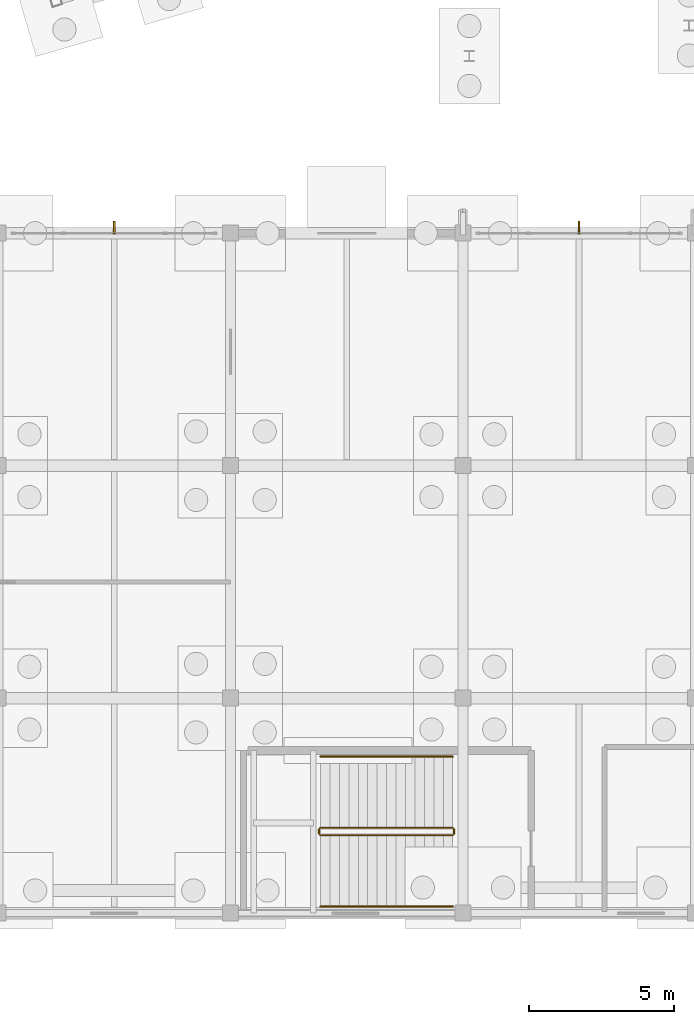
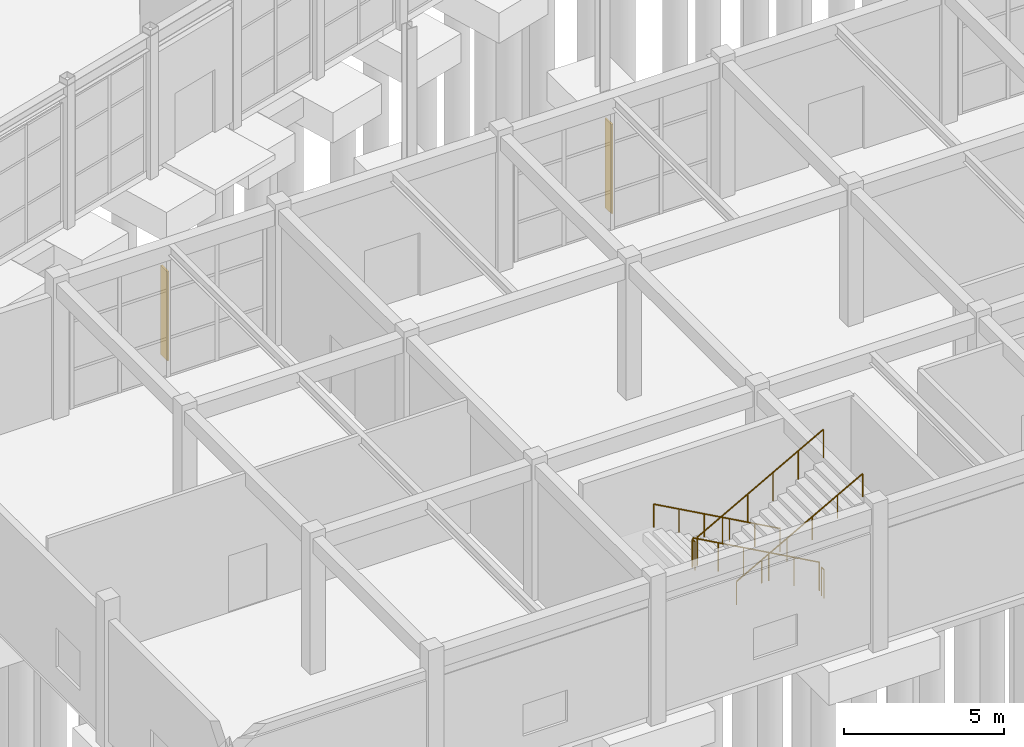
# One storey, part 80 of 90: 6 railings, 2 shading devices.
"""IFC4 building model written with IfcOpenShell, lengths in metres."""

from ifc_helpers import new_model, si_unit, direction, frame, origin, origin_2d, place, context, subcontext, project, spatial, rectangle, circle, extrude, material, type_object, element, save


model = new_model("IFC4")

# Units and contexts
model_context = context("Model", 3, precision=1e-05, world=origin(), true_north=direction((0.0, 1.0)))
body_context = subcontext(model_context, "Body", "Model", "MODEL_VIEW")
ifc_project = project(units=[si_unit("LENGTHUNIT", "METRE"), si_unit("AREAUNIT", "SQUARE_METRE"), si_unit("VOLUMEUNIT", "CUBIC_METRE"), si_unit("PLANEANGLEUNIT", "RADIAN"), si_unit("MASSUNIT", "GRAM", prefix="KILO")], contexts=[model_context])

# Site, building, storey
site_placement = place(None, origin())
site = spatial("IfcSite", under=ifc_project, at=site_placement, CompositionType="ELEMENT")
building_placement = place(site_placement, origin())
building = spatial("IfcBuilding", under=site, at=building_placement, Name="Canggui Botanical Conservatory", CompositionType="ELEMENT")
storey_placement = place(building_placement, origin())
storey = spatial("IfcBuildingStorey", under=building, at=storey_placement, Name="L01", CompositionType="ELEMENT", Elevation=0.0)

# Railings
ifc_material_1 = material(Name="Stainless Steel 304", Category="steel")
railing_type_1 = type_object("IfcRailingType", Name="RAIL-GUARD-1100", PredefinedType="BALUSTRADE", material=ifc_material_1)
railing_1_placement = place(storey_placement, frame((33.64990234375, 13.5400390625, 0.179931640625)))
element("IfcRailing", 1, at=railing_1_placement, inside=storey, type_object=railing_type_1, Name="L01 ST-V2 stair guard 1", PredefinedType="BALUSTRADE", context=body_context, shape_type="SweptSolid", body=[
    extrude(circle(Radius=0.02392578125, at=origin_2d()), frame((0.0, 0.0, 1.076171875), z_axis=(-0.87478094925, 0.0, 0.48451861763), x_axis=(0.0, -1.0, 0.0)), (0.0, 0.0, 1.0), 5.201171875),
    extrude(circle(Radius=0.02099609375, at=origin_2d()), origin(), (0.0, 0.0, 1.0), 1.052001953125),
    extrude(circle(Radius=0.02099609375, at=origin_2d()), frame((-0.909912109375, 0.0, 0.50390625)), (0.0, 0.0, 1.0), 1.052001953125),
    extrude(circle(Radius=0.02099609375, at=origin_2d()), frame((-1.81982421875, 0.0, 1.008056640625)), (0.0, 0.0, 1.0), 1.052001953125),
    extrude(circle(Radius=0.02099609375, at=origin_2d()), frame((-2.72998046875, 0.0, 1.511962890625)), (0.0, 0.0, 1.0), 1.052001953125),
    extrude(circle(Radius=0.02099609375, at=origin_2d()), frame((-3.639892578125, 0.0, 2.01611328125)), (0.0, 0.0, 1.0), 1.052001953125),
    extrude(circle(Radius=0.02099609375, at=origin_2d()), frame((-4.5498046875, 0.0, 2.52001953125)), (0.0, 0.0, 1.0), 1.052001953125),
])
railing_2_placement = place(storey_placement, frame((29.050048828125, 13.489990234375, 2.699951171875)))
element("IfcRailing", 2, at=railing_2_placement, inside=storey, type_object=railing_type_1, Name="L01 ST-V2 stair guard 2", PredefinedType="BALUSTRADE", context=body_context, shape_type="SweptSolid", body=[
    extrude(circle(Radius=0.02392578125, at=origin_2d()), frame((0.0, 0.0, 1.076171875), z_axis=(0.0, -1.0, 0.0), x_axis=(1.0, 0.0, 0.0)), (0.0, 0.0, 1.0), 0.159912109375),
    extrude(circle(Radius=0.02099609375, at=origin_2d()), origin(), (0.0, 0.0, 1.0), 1.052001953125),
    extrude(circle(Radius=0.02099609375, at=origin_2d()), frame((0.0, -0.159912109375, 0.0)), (0.0, 0.0, 1.0), 1.052001953125),
])
railing_3_placement = place(storey_placement, frame((29.10009765625, 13.280029296875, 2.8798828125)))
element("IfcRailing", 3, at=railing_3_placement, inside=storey, type_object=railing_type_1, Name="L01 ST-V2 stair guard 3", PredefinedType="BALUSTRADE", context=body_context, shape_type="SweptSolid", body=[
    extrude(circle(Radius=0.02392578125, at=origin_2d()), frame((0.0, 0.0, 1.076171875), z_axis=(0.87478094925, 0.0, 0.48451861763), x_axis=(0.0, 1.0, 0.0)), (0.0, 0.0, 1.0), 5.201171875),
    extrude(circle(Radius=0.02099609375, at=origin_2d()), origin(), (0.0, 0.0, 1.0), 1.052001953125),
    extrude(circle(Radius=0.02099609375, at=origin_2d()), frame((0.909912109375, 0.0, 0.50390625)), (0.0, 0.0, 1.0), 1.052001953125),
    extrude(circle(Radius=0.02099609375, at=origin_2d()), frame((1.81982421875, 0.0, 1.008056640625)), (0.0, 0.0, 1.0), 1.052001953125),
    extrude(circle(Radius=0.02099609375, at=origin_2d()), frame((2.72998046875, 0.0, 1.511962890625)), (0.0, 0.0, 1.0), 1.052001953125),
    extrude(circle(Radius=0.02099609375, at=origin_2d()), frame((3.639892578125, 0.0, 2.01611328125)), (0.0, 0.0, 1.0), 1.052001953125),
    extrude(circle(Radius=0.02099609375, at=origin_2d()), frame((4.5498046875, 0.0, 2.52001953125)), (0.0, 0.0, 1.0), 1.052001953125),
])
railing_4_placement = place(storey_placement, frame((33.699951171875, 13.489990234375, 0.0)))
element("IfcRailing", 4, at=railing_4_placement, inside=storey, type_object=railing_type_1, Name="L01 ST-V2 stair guard 4", PredefinedType="BALUSTRADE", context=body_context, shape_type="SweptSolid", body=[
    extrude(circle(Radius=0.02392578125, at=origin_2d()), frame((0.0, 0.0, 1.076171875), z_axis=(0.0, -1.0, 0.0), x_axis=(1.0, 0.0, 0.0)), (0.0, 0.0, 1.0), 0.159912109375),
    extrude(circle(Radius=0.02099609375, at=origin_2d()), origin(), (0.0, 0.0, 1.0), 1.052001953125),
    extrude(circle(Radius=0.02099609375, at=origin_2d()), frame((0.0, -0.159912109375, 0.0)), (0.0, 0.0, 1.0), 1.052001953125),
])
railing_type_2 = type_object("IfcRailingType", Name="RAIL-HAND-900", PredefinedType="HANDRAIL", material=ifc_material_1)
railing_5_placement = place(storey_placement, frame((33.64990234375, 15.989990234375, 0.179931640625)))
element("IfcRailing", 5, at=railing_5_placement, inside=storey, type_object=railing_type_2, Name="L01 ST-V2 stair handrail 1", PredefinedType="HANDRAIL", context=body_context, shape_type="SweptSolid", body=[
    extrude(circle(Radius=0.02392578125, at=origin_2d()), frame((0.0, 0.0, 0.8759765625), z_axis=(-0.87478094925, 0.0, 0.48451861763), x_axis=(0.0, -1.0, 0.0)), (0.0, 0.0, 1.0), 5.201171875),
    extrude(circle(Radius=0.02099609375, at=origin_2d()), origin(), (0.0, 0.0, 1.0), 0.851806640625),
    extrude(circle(Radius=0.02099609375, at=origin_2d()), frame((-0.909912109375, 0.0, 0.50390625)), (0.0, 0.0, 1.0), 0.851806640625),
    extrude(circle(Radius=0.02099609375, at=origin_2d()), frame((-1.81982421875, 0.0, 1.008056640625)), (0.0, 0.0, 1.0), 0.851806640625),
    extrude(circle(Radius=0.02099609375, at=origin_2d()), frame((-2.72998046875, 0.0, 1.511962890625)), (0.0, 0.0, 1.0), 0.851806640625),
    extrude(circle(Radius=0.02099609375, at=origin_2d()), frame((-3.639892578125, 0.0, 2.01611328125)), (0.0, 0.0, 1.0), 0.851806640625),
    extrude(circle(Radius=0.02099609375, at=origin_2d()), frame((-4.5498046875, 0.0, 2.52001953125)), (0.0, 0.0, 1.0), 0.851806640625),
])
railing_6_placement = place(storey_placement, frame((29.10009765625, 10.830078125, 2.8798828125)))
element("IfcRailing", 6, at=railing_6_placement, inside=storey, type_object=railing_type_2, Name="L01 ST-V2 stair handrail 2", PredefinedType="HANDRAIL", context=body_context, shape_type="SweptSolid", body=[
    extrude(circle(Radius=0.02392578125, at=origin_2d()), frame((0.0, 0.0, 0.8759765625), z_axis=(0.87478094925, 0.0, 0.48451861763), x_axis=(0.0, 1.0, 0.0)), (0.0, 0.0, 1.0), 5.201171875),
    extrude(circle(Radius=0.02099609375, at=origin_2d()), origin(), (0.0, 0.0, 1.0), 0.851806640625),
    extrude(circle(Radius=0.02099609375, at=origin_2d()), frame((0.909912109375, 0.0, 0.50390625)), (0.0, 0.0, 1.0), 0.851806640625),
    extrude(circle(Radius=0.02099609375, at=origin_2d()), frame((1.81982421875, 0.0, 1.008056640625)), (0.0, 0.0, 1.0), 0.851806640625),
    extrude(circle(Radius=0.02099609375, at=origin_2d()), frame((2.72998046875, 0.0, 1.511962890625)), (0.0, 0.0, 1.0), 0.851806640625),
    extrude(circle(Radius=0.02099609375, at=origin_2d()), frame((3.639892578125, 0.0, 2.01611328125)), (0.0, 0.0, 1.0), 0.851806640625),
    extrude(circle(Radius=0.02099609375, at=origin_2d()), frame((4.5498046875, 0.0, 2.52001953125)), (0.0, 0.0, 1.0), 0.851806640625),
])

# Shading devices
ifc_material_2 = material(Name="Anodised Aluminium", Category="aluminium")
shading_device_type = type_object("IfcShadingDeviceType", Name="SHD-FIN01", PredefinedType="AWNING", material=ifc_material_2)
for number, where, z_axis, x_axis, name in (
    (7, (22.0, 34.195068359375, 0.60498046875), (0.0, 0.0, 1.0), (1.0, 0.0, 0.0), "Solar Shading Fin CW-VIS-L01-12"),
    (8, (38.0, 34.195068359375, 0.60498046875), (0.0, 0.0, 1.0), (1.0, 0.0, 0.0), "Solar Shading Fin CW-VIS-L01-14"),
):
    element("IfcShadingDevice", number, at=place(storey_placement, frame(where, z_axis=z_axis, x_axis=x_axis)), inside=storey, type_object=shading_device_type, Name=name, PredefinedType="AWNING", context=body_context, shape_type="SweptSolid", body=[
        extrude(rectangle(XDim=0.06005859375, YDim=0.419921875, at=origin_2d()), origin(), (0.0, 0.0, 1.0), 3.39990234375),
    ])

save(model, "model.ifc")
